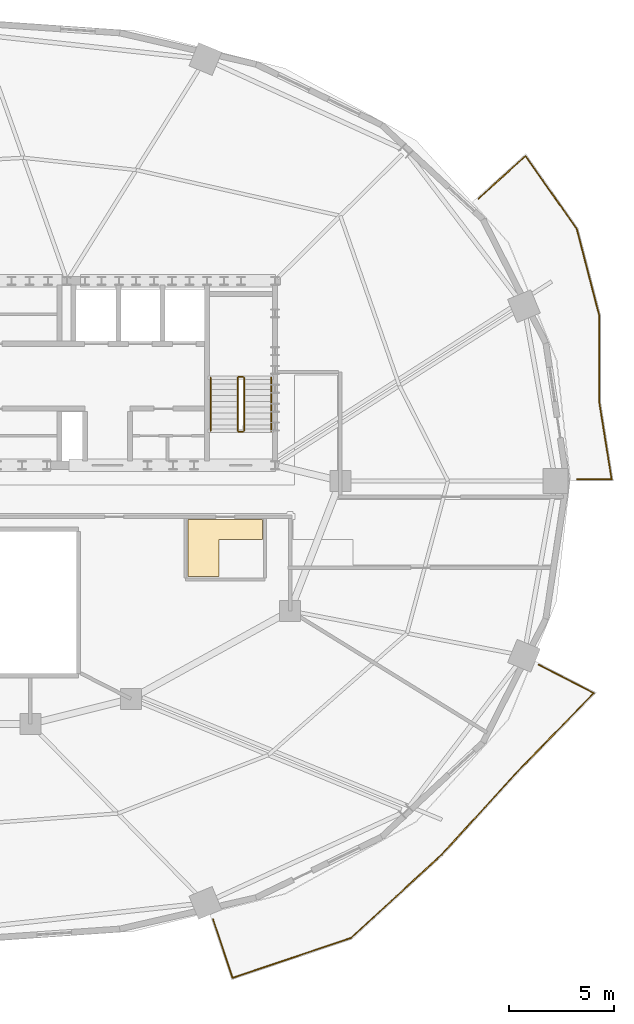
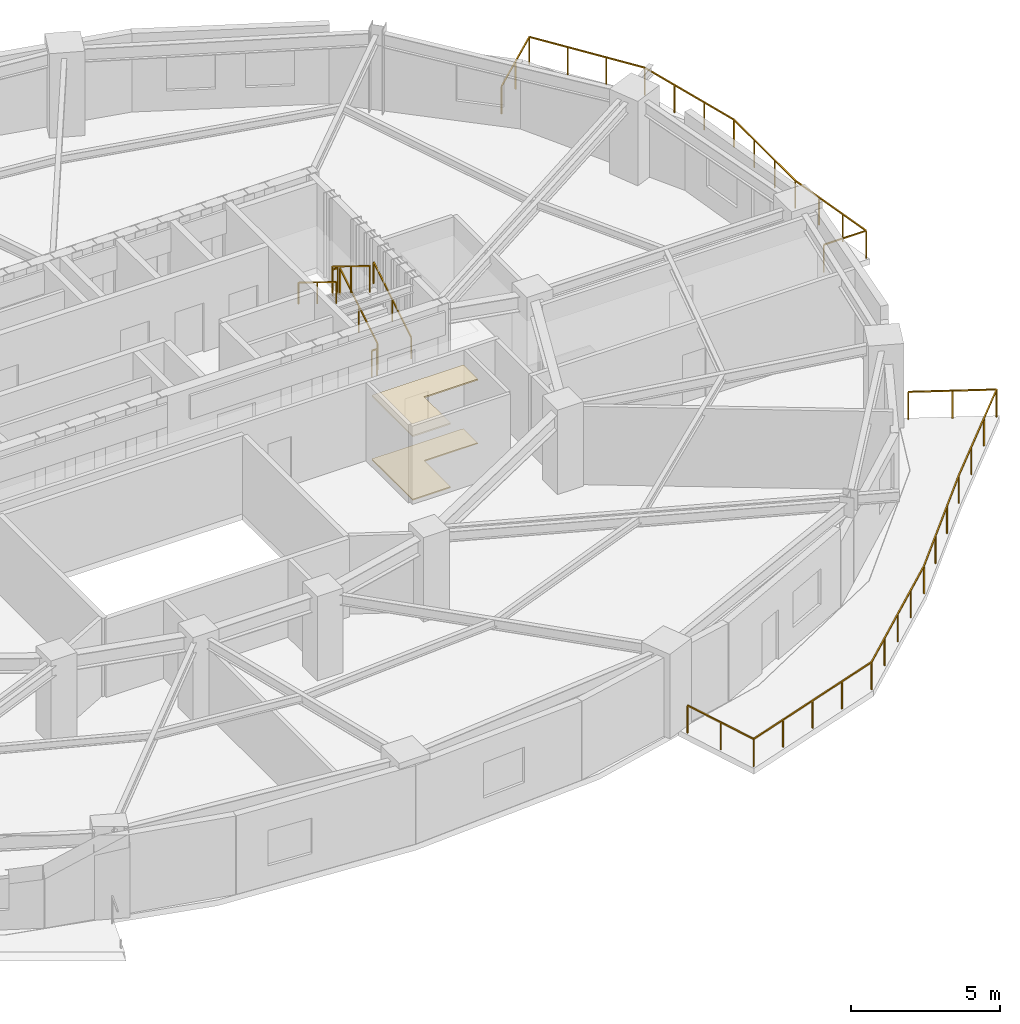
# One storey, part 11 of 11: 8 railings, 2 coverings.
"""IFC4 building model written with IfcOpenShell, lengths in metres."""

from ifc_helpers import new_model, si_unit, direction, frame, origin, origin_2d, place, context, subcontext, project, spatial, polyline, rectangle, outline, extrude, material, layer, layer_set, type_object, element, save


model = new_model("IFC4")

# Units and contexts
model_context = context("Model", 3, precision=1e-05, world=origin(), true_north=direction((0.0, 1.0)))
body_context = subcontext(model_context, "Body", "Model", "MODEL_VIEW")
ifc_project = project(units=[si_unit("LENGTHUNIT", "METRE"), si_unit("AREAUNIT", "SQUARE_METRE"), si_unit("VOLUMEUNIT", "CUBIC_METRE"), si_unit("PLANEANGLEUNIT", "RADIAN"), si_unit("MASSUNIT", "GRAM", prefix="KILO")], contexts=[model_context])

# Site, building, storey
site_placement = place(None, origin())
site = spatial("IfcSite", under=ifc_project, at=site_placement, CompositionType="ELEMENT")
building_placement = place(site_placement, origin())
building = spatial("IfcBuilding", under=site, at=building_placement, Name="Haldorwick Loom Tower", CompositionType="ELEMENT")
storey_placement = place(building_placement, frame((0.0, 0.0, 215.199951171875)))
storey = spatial("IfcBuildingStorey", under=building, at=storey_placement, Name="L58", CompositionType="ELEMENT", Elevation=215.199951171875)

# Coverings
ifc_material_1 = material(Name="Mineral Fibre Acoustic Ceiling Tile")
ifc_layer_1 = layer(ifc_material_1, 0.054931640625, Name="Mineral Fibre Acoustic Ceiling Tile")
ifc_layer_set_1 = layer_set([ifc_layer_1], Name="Mineral Fibre Acoustic Ceiling Tile")
covering_type_1 = type_object("IfcCoveringType", Name="ARC-COV-CEIL2", PredefinedType="CEILING", material=ifc_layer_set_1)
covering_1_placement = place(storey_placement, frame((0.0, 0.0, 2.594970703125)))
element("IfcCovering", 1, at=covering_1_placement, inside=storey, type_object=covering_type_1, Name="L58 Acoustic Suspended Ceiling 2", PredefinedType="CEILING", context=body_context, shape_type="SweptSolid", body=[
    extrude(outline(polyline([(45.929931640625, 24.159912109375), (45.929931640625, 21.429931640625), (47.39990234375, 21.429931640625), (47.39990234375, 23.199951171875), (49.469970703125, 23.199951171875), (49.469970703125, 24.159912109375), (45.929931640625, 24.159912109375)])), origin(), (0.0, 0.0, 1.0), 0.05517578125),
])
ifc_material_2 = material(Name="Polished Aggregate Terrazzo Finish")
ifc_layer_2 = layer(ifc_material_2, 0.044921875, Name="Polished Aggregate Terrazzo Finish")
ifc_layer_set_2 = layer_set([ifc_layer_2], Name="Polished Aggregate Terrazzo Finish")
covering_type_2 = type_object("IfcCoveringType", Name="ARC-COV-FLOOR2", PredefinedType="FLOORING", material=ifc_layer_set_2)
covering_2_placement = place(storey_placement, origin())
element("IfcCovering", 2, at=covering_2_placement, inside=storey, type_object=covering_type_2, Name="L58 Floor Finish 2", PredefinedType="FLOORING", context=body_context, shape_type="SweptSolid", body=[
    extrude(outline(polyline([(45.929931640625, 24.159912109375), (45.929931640625, 21.429931640625), (47.39990234375, 21.429931640625), (47.39990234375, 23.199951171875), (49.469970703125, 23.199951171875), (49.469970703125, 24.159912109375), (45.929931640625, 24.159912109375)])), origin(), (0.0, 0.0, 1.0), 0.045166015625),
])

# Railings
ifc_material_3 = material(Name="Galvanized Steel CSA G40.21 350W", Category="steel")
railing_type_1 = type_object("IfcRailingType", Name="ARC-RLG-BAL115", PredefinedType="BALUSTRADE", material=ifc_material_3)
railing_1_placement = place(storey_placement, frame((62.660400390625, 17.23291015625, 0.0)))
element("IfcRailing", 3, at=railing_1_placement, inside=storey, type_object=railing_type_1, Name="L58 Outdoor Terrace Guardrail SLB-L58-BAL_SE-1", PredefinedType="BALUSTRADE", context=body_context, shape_type="SweptSolid", body=[
    extrude(rectangle(XDim=0.048095703125, YDim=0.048095703125, at=origin_2d()), frame((0.0, 0.0, 1.1259765625), z_axis=(0.888616322057, -0.458651318731, 0.0), x_axis=(0.458651318731, 0.888616322057, 0.0)), (0.0, 0.0, 1.0), 2.961669921875),
    extrude(rectangle(XDim=0.048095703125, YDim=0.048095703125, at=origin_2d()), frame((2.6318359375, -1.3583984375, 1.1259765625), z_axis=(-0.696683349737, -0.717378777355, 0.0), x_axis=(0.717378777355, -0.696683349737, 0.0)), (0.0, 0.0, 1.0), 5.190673828125),
    extrude(rectangle(XDim=0.048095703125, YDim=0.048095703125, at=origin_2d()), frame((-0.984375, -5.08203125, 1.1259765625), z_axis=(-0.707106781187, -0.707106781187, 0.0), x_axis=(0.707106781187, -0.707106781187, 0.0)), (0.0, 0.0, 1.0), 0.001953125),
    extrude(rectangle(XDim=0.048095703125, YDim=0.048095703125, at=origin_2d()), frame((-0.98583984375, -5.08349609375, 1.1259765625), z_axis=(-0.67470023799, -0.738091856652, 0.0), x_axis=(0.738091856652, -0.67470023799, 0.0)), (0.0, 0.0, 1.0), 5.3994140625),
    extrude(rectangle(XDim=0.048095703125, YDim=0.048095703125, at=origin_2d()), frame((-4.62890625, -9.06884765625, 1.1259765625), z_axis=(-0.735961683772, -0.677023190164, 0.0), x_axis=(0.677023190164, -0.735961683772, 0.0)), (0.0, 0.0, 1.0), 5.86962890625),
    extrude(rectangle(XDim=0.048095703125, YDim=0.048095703125, at=origin_2d()), frame((-8.94873046875, -13.042724609375, 1.1259765625), z_axis=(-0.947503426745, -0.319745611865, 0.0), x_axis=(0.319745611865, -0.947503426745, 0.0)), (0.0, 0.0, 1.0), 5.9716796875),
    extrude(rectangle(XDim=0.048095703125, YDim=0.048095703125, at=origin_2d()), frame((-14.60693359375, -14.9521484375, 1.1259765625), z_axis=(-0.316699177821, 0.948526030622, 0.0), x_axis=(-0.948526030622, -0.316699177821, 0.0)), (0.0, 0.0, 1.0), 2.95166015625),
    extrude(rectangle(XDim=0.0419921875, YDim=0.0419921875, at=origin_2d()), origin(), (0.0, 0.0, 1.0), 1.101806640625),
    extrude(rectangle(XDim=0.0419921875, YDim=0.0419921875, at=origin_2d()), frame((1.31591796875, -0.67919921875, 0.0)), (0.0, 0.0, 1.0), 1.101806640625),
    extrude(rectangle(XDim=0.0419921875, YDim=0.0419921875, at=origin_2d()), frame((2.6318359375, -1.3583984375, 0.0)), (0.0, 0.0, 1.0), 1.101806640625),
    extrude(rectangle(XDim=0.0419921875, YDim=0.0419921875, at=origin_2d()), frame((1.426513671875, -2.599609375, 0.0)), (0.0, 0.0, 1.0), 1.101806640625),
    extrude(rectangle(XDim=0.0419921875, YDim=0.0419921875, at=origin_2d()), frame((0.220947265625, -3.8408203125, 0.0)), (0.0, 0.0, 1.0), 1.101806640625),
    extrude(rectangle(XDim=0.0419921875, YDim=0.0419921875, at=origin_2d()), frame((-0.984375, -5.08203125, 0.0)), (0.0, 0.0, 1.0), 1.101806640625),
    extrude(rectangle(XDim=0.0419921875, YDim=0.0419921875, at=origin_2d()), frame((-2.2001953125, -6.411865234375, 0.0)), (0.0, 0.0, 1.0), 1.101806640625),
    extrude(rectangle(XDim=0.0419921875, YDim=0.0419921875, at=origin_2d()), frame((-3.41455078125, -7.740478515625, 0.0)), (0.0, 0.0, 1.0), 1.101806640625),
    extrude(rectangle(XDim=0.0419921875, YDim=0.0419921875, at=origin_2d()), frame((-4.62890625, -9.06884765625, 0.0)), (0.0, 0.0, 1.0), 1.101806640625),
    extrude(rectangle(XDim=0.0419921875, YDim=0.0419921875, at=origin_2d()), frame((-5.708984375, -10.062255859375, 0.0)), (0.0, 0.0, 1.0), 1.101806640625),
    extrude(rectangle(XDim=0.0419921875, YDim=0.0419921875, at=origin_2d()), frame((-6.788818359375, -11.0556640625, 0.0)), (0.0, 0.0, 1.0), 1.101806640625),
    extrude(rectangle(XDim=0.0419921875, YDim=0.0419921875, at=origin_2d()), frame((-7.86865234375, -12.04931640625, 0.0)), (0.0, 0.0, 1.0), 1.101806640625),
    extrude(rectangle(XDim=0.0419921875, YDim=0.0419921875, at=origin_2d()), frame((-8.94873046875, -13.042724609375, 0.0)), (0.0, 0.0, 1.0), 1.101806640625),
    extrude(rectangle(XDim=0.0419921875, YDim=0.0419921875, at=origin_2d()), frame((-10.36328125, -13.52001953125, 0.0)), (0.0, 0.0, 1.0), 1.101806640625),
    extrude(rectangle(XDim=0.0419921875, YDim=0.0419921875, at=origin_2d()), frame((-11.77783203125, -13.99755859375, 0.0)), (0.0, 0.0, 1.0), 1.101806640625),
    extrude(rectangle(XDim=0.0419921875, YDim=0.0419921875, at=origin_2d()), frame((-13.1923828125, -14.474853515625, 0.0)), (0.0, 0.0, 1.0), 1.101806640625),
    extrude(rectangle(XDim=0.0419921875, YDim=0.0419921875, at=origin_2d()), frame((-14.60693359375, -14.9521484375, 0.0)), (0.0, 0.0, 1.0), 1.101806640625),
    extrude(rectangle(XDim=0.0419921875, YDim=0.0419921875, at=origin_2d()), frame((-15.07421875, -13.55224609375, 0.0)), (0.0, 0.0, 1.0), 1.101806640625),
    extrude(rectangle(XDim=0.0419921875, YDim=0.0419921875, at=origin_2d()), frame((-15.541748046875, -12.15234375, 0.0)), (0.0, 0.0, 1.0), 1.101806640625),
])
railing_2_placement = place(storey_placement, frame((59.788818359375, 39.480224609375, 0.0)))
element("IfcRailing", 4, at=railing_2_placement, inside=storey, type_object=railing_type_1, Name="L58 Outdoor Terrace Guardrail SLB-L58-BAL_ENE-1", PredefinedType="BALUSTRADE", context=body_context, shape_type="SweptSolid", body=[
    extrude(rectangle(XDim=0.048095703125, YDim=0.048095703125, at=origin_2d()), frame((0.0, 0.0, 1.1259765625), z_axis=(0.74171714135, 0.670712816507, 0.0), x_axis=(-0.670712816507, 0.74171714135, 0.0)), (0.0, 0.0, 1.0), 3.029296875),
    extrude(rectangle(XDim=0.048095703125, YDim=0.048095703125, at=origin_2d()), frame((2.246826171875, 2.03173828125, 1.1259765625), z_axis=(0.574665537873, -0.818388367208, 0.0), x_axis=(0.818388367208, 0.574665537873, 0.0)), (0.0, 0.0, 1.0), 4.26025390625),
    extrude(rectangle(XDim=0.048095703125, YDim=0.048095703125, at=origin_2d()), frame((4.695068359375, -1.454833984375, 1.1259765625), z_axis=(0.251069654053, -0.967969022652, 0.0), x_axis=(0.967969022652, 0.251069654053, 0.0)), (0.0, 0.0, 1.0), 4.256103515625),
    extrude(rectangle(XDim=0.048095703125, YDim=0.048095703125, at=origin_2d()), frame((5.763671875, -5.57470703125, 1.1259765625), z_axis=(-0.00029735354, -0.99999995579, 0.0), x_axis=(0.99999995579, -0.00029735354, 0.0)), (0.0, 0.0, 1.0), 4.105224609375),
    extrude(rectangle(XDim=0.048095703125, YDim=0.048095703125, at=origin_2d()), frame((5.762451171875, -9.679931640625, 1.1259765625), z_axis=(0.038433122101, -0.999261174631, 0.0), x_axis=(0.999261174631, 0.038433122101, 0.0)), (0.0, 0.0, 1.0), 0.00634765625),
    extrude(rectangle(XDim=0.048095703125, YDim=0.048095703125, at=origin_2d()), frame((5.7626953125, -9.686279296875, 1.1259765625), z_axis=(0.114624107985, -0.993408935871, 0.0), x_axis=(0.993408935871, 0.114624107985, 0.0)), (0.0, 0.0, 1.0), 0.00634765625),
    extrude(rectangle(XDim=0.048095703125, YDim=0.048095703125, at=origin_2d()), frame((5.763427734375, -9.692626953125, 1.1259765625), z_axis=(0.157688694755, -0.987488873632, 0.0), x_axis=(0.987488873632, 0.157688694755, 0.0)), (0.0, 0.0, 1.0), 3.75439453125),
    extrude(rectangle(XDim=0.048095703125, YDim=0.048095703125, at=origin_2d()), frame((6.35546875, -13.400146484375, 1.1259765625), z_axis=(-1.0, 0.0, 0.0), x_axis=(0.0, -1.0, 0.0)), (0.0, 0.0, 1.0), 1.634765625),
    extrude(rectangle(XDim=0.0419921875, YDim=0.0419921875, at=origin_2d()), origin(), (0.0, 0.0, 1.0), 1.101806640625),
    extrude(rectangle(XDim=0.0419921875, YDim=0.0419921875, at=origin_2d()), frame((1.12353515625, 1.015869140625, 0.0)), (0.0, 0.0, 1.0), 1.101806640625),
    extrude(rectangle(XDim=0.0419921875, YDim=0.0419921875, at=origin_2d()), frame((2.246826171875, 2.03173828125, 0.0)), (0.0, 0.0, 1.0), 1.101806640625),
    extrude(rectangle(XDim=0.0419921875, YDim=0.0419921875, at=origin_2d()), frame((3.06298828125, 0.86962890625, 0.0)), (0.0, 0.0, 1.0), 1.101806640625),
    extrude(rectangle(XDim=0.0419921875, YDim=0.0419921875, at=origin_2d()), frame((3.87890625, -0.292724609375, 0.0)), (0.0, 0.0, 1.0), 1.101806640625),
    extrude(rectangle(XDim=0.0419921875, YDim=0.0419921875, at=origin_2d()), frame((4.695068359375, -1.454833984375, 0.0)), (0.0, 0.0, 1.0), 1.101806640625),
    extrude(rectangle(XDim=0.0419921875, YDim=0.0419921875, at=origin_2d()), frame((5.05126953125, -2.828125, 0.0)), (0.0, 0.0, 1.0), 1.101806640625),
    extrude(rectangle(XDim=0.0419921875, YDim=0.0419921875, at=origin_2d()), frame((5.407470703125, -4.201416015625, 0.0)), (0.0, 0.0, 1.0), 1.101806640625),
    extrude(rectangle(XDim=0.0419921875, YDim=0.0419921875, at=origin_2d()), frame((5.763671875, -5.57470703125, 0.0)), (0.0, 0.0, 1.0), 1.101806640625),
    extrude(rectangle(XDim=0.0419921875, YDim=0.0419921875, at=origin_2d()), frame((5.76318359375, -6.943115234375, 0.0)), (0.0, 0.0, 1.0), 1.101806640625),
    extrude(rectangle(XDim=0.0419921875, YDim=0.0419921875, at=origin_2d()), frame((5.762939453125, -8.3115234375, 0.0)), (0.0, 0.0, 1.0), 1.101806640625),
    extrude(rectangle(XDim=0.0419921875, YDim=0.0419921875, at=origin_2d()), frame((5.762451171875, -9.679931640625, 0.0)), (0.0, 0.0, 1.0), 1.101806640625),
    extrude(rectangle(XDim=0.0419921875, YDim=0.0419921875, at=origin_2d()), frame((5.960693359375, -10.928466796875, 0.0)), (0.0, 0.0, 1.0), 1.101806640625),
    extrude(rectangle(XDim=0.0419921875, YDim=0.0419921875, at=origin_2d()), frame((6.158203125, -12.164306640625, 0.0)), (0.0, 0.0, 1.0), 1.101806640625),
    extrude(rectangle(XDim=0.0419921875, YDim=0.0419921875, at=origin_2d()), frame((6.35546875, -13.400146484375, 0.0)), (0.0, 0.0, 1.0), 1.101806640625),
    extrude(rectangle(XDim=0.0419921875, YDim=0.0419921875, at=origin_2d()), frame((4.720703125, -13.400146484375, 0.0)), (0.0, 0.0, 1.0), 1.101806640625),
])
ifc_material_4 = material(Name="Steel CSA G40.21 350W", Category="steel")
railing_type_2 = type_object("IfcRailingType", Name="ARC-RLG-GUARD112", PredefinedType="GUARDRAIL", material=ifc_material_4)
railing_3_placement = place(storey_placement, frame((48.60009765625, 28.39990234375, 0.172607421875)))
element("IfcRailing", 5, at=railing_3_placement, inside=storey, type_object=railing_type_2, Name="L58 ST-02 stair guard 1", PredefinedType="GUARDRAIL", context=body_context, shape_type="SweptSolid", body=[
    extrude(rectangle(XDim=0.048095703125, YDim=0.048095703125, at=origin_2d()), frame((0.0, 0.0, 1.076171875), z_axis=(0.0, 0.851400495292, 0.524516154772), x_axis=(-1.0, 0.0, 0.0)), (0.0, 0.0, 1.0), 2.9599609375),
    extrude(rectangle(XDim=0.0419921875, YDim=0.0419921875, at=origin_2d()), origin(), (0.0, 0.0, 1.0), 1.052001953125),
    extrude(rectangle(XDim=0.0419921875, YDim=0.0419921875, at=origin_2d()), frame((0.0, 1.260009765625, 0.7763671875)), (0.0, 0.0, 1.0), 1.052001953125),
    extrude(rectangle(XDim=0.0419921875, YDim=0.0419921875, at=origin_2d()), frame((0.0, 2.52001953125, 1.552490234375)), (0.0, 0.0, 1.0), 1.052001953125),
])
railing_4_placement = place(storey_placement, frame((48.550048828125, 30.969970703125, 1.72509765625)))
element("IfcRailing", 6, at=railing_4_placement, inside=storey, type_object=railing_type_2, Name="L58 ST-02 stair guard 2", PredefinedType="GUARDRAIL", context=body_context, shape_type="SweptSolid", body=[
    extrude(rectangle(XDim=0.048095703125, YDim=0.048095703125, at=origin_2d()), frame((0.0, 0.0, 1.076171875), z_axis=(-1.0, 0.0, 0.0), x_axis=(0.0, -1.0, 0.0)), (0.0, 0.0, 1.0), 0.199951171875),
    extrude(rectangle(XDim=0.0419921875, YDim=0.0419921875, at=origin_2d()), origin(), (0.0, 0.0, 1.0), 1.052001953125),
    extrude(rectangle(XDim=0.0419921875, YDim=0.0419921875, at=origin_2d()), frame((-0.199951171875, 0.0, 0.0)), (0.0, 0.0, 1.0), 1.052001953125),
])
railing_5_placement = place(storey_placement, frame((48.300048828125, 30.919921875, 1.8974609375)))
element("IfcRailing", 7, at=railing_5_placement, inside=storey, type_object=railing_type_2, Name="L58 ST-02 stair guard 3", PredefinedType="GUARDRAIL", context=body_context, shape_type="SweptSolid", body=[
    extrude(rectangle(XDim=0.048095703125, YDim=0.048095703125, at=origin_2d()), frame((0.0, 0.0, 1.076171875), z_axis=(0.0, -0.851400495292, 0.524516154772), x_axis=(1.0, 0.0, 0.0)), (0.0, 0.0, 1.0), 2.9599609375),
    extrude(rectangle(XDim=0.0419921875, YDim=0.0419921875, at=origin_2d()), origin(), (0.0, 0.0, 1.0), 1.052001953125),
    extrude(rectangle(XDim=0.0419921875, YDim=0.0419921875, at=origin_2d()), frame((0.0, -1.260009765625, 0.7763671875)), (0.0, 0.0, 1.0), 1.052001953125),
    extrude(rectangle(XDim=0.0419921875, YDim=0.0419921875, at=origin_2d()), frame((0.0, -2.52001953125, 1.552490234375)), (0.0, 0.0, 1.0), 1.052001953125),
])
railing_6_placement = place(storey_placement, frame((48.550048828125, 28.35009765625, 0.0)))
element("IfcRailing", 8, at=railing_6_placement, inside=storey, type_object=railing_type_2, Name="L58 ST-02 stair guard 4", PredefinedType="GUARDRAIL", context=body_context, shape_type="SweptSolid", body=[
    extrude(rectangle(XDim=0.048095703125, YDim=0.048095703125, at=origin_2d()), frame((0.0, 0.0, 1.076171875), z_axis=(-1.0, 0.0, 0.0), x_axis=(0.0, -1.0, 0.0)), (0.0, 0.0, 1.0), 0.199951171875),
    extrude(rectangle(XDim=0.0419921875, YDim=0.0419921875, at=origin_2d()), origin(), (0.0, 0.0, 1.0), 1.052001953125),
    extrude(rectangle(XDim=0.0419921875, YDim=0.0419921875, at=origin_2d()), frame((-0.199951171875, 0.0, 0.0)), (0.0, 0.0, 1.0), 1.052001953125),
])
railing_type_3 = type_object("IfcRailingType", Name="ARC-RLG-HAND092", PredefinedType="HANDRAIL", material=ifc_material_4)
railing_7_placement = place(storey_placement, frame((49.89990234375, 28.39990234375, 0.172607421875)))
element("IfcRailing", 9, at=railing_7_placement, inside=storey, type_object=railing_type_3, Name="L58 ST-02 stair handrail 1", PredefinedType="HANDRAIL", context=body_context, shape_type="SweptSolid", body=[
    extrude(rectangle(XDim=0.048095703125, YDim=0.048095703125, at=origin_2d()), frame((0.0, 0.0, 0.8759765625), z_axis=(0.0, 0.851400495292, 0.524516154772), x_axis=(-1.0, 0.0, 0.0)), (0.0, 0.0, 1.0), 2.9599609375),
    extrude(rectangle(XDim=0.0419921875, YDim=0.0419921875, at=origin_2d()), origin(), (0.0, 0.0, 1.0), 0.851806640625),
    extrude(rectangle(XDim=0.0419921875, YDim=0.0419921875, at=origin_2d()), frame((0.0, 1.260009765625, 0.7763671875)), (0.0, 0.0, 1.0), 0.851806640625),
    extrude(rectangle(XDim=0.0419921875, YDim=0.0419921875, at=origin_2d()), frame((0.0, 2.52001953125, 1.552490234375)), (0.0, 0.0, 1.0), 0.851806640625),
])
railing_8_placement = place(storey_placement, frame((47.0, 30.919921875, 1.8974609375)))
element("IfcRailing", 10, at=railing_8_placement, inside=storey, type_object=railing_type_3, Name="L58 ST-02 stair handrail 2", PredefinedType="HANDRAIL", context=body_context, shape_type="SweptSolid", body=[
    extrude(rectangle(XDim=0.048095703125, YDim=0.048095703125, at=origin_2d()), frame((0.0, 0.0, 0.8759765625), z_axis=(0.0, -0.851400495292, 0.524516154772), x_axis=(1.0, 0.0, 0.0)), (0.0, 0.0, 1.0), 2.9599609375),
    extrude(rectangle(XDim=0.0419921875, YDim=0.0419921875, at=origin_2d()), origin(), (0.0, 0.0, 1.0), 0.851806640625),
    extrude(rectangle(XDim=0.0419921875, YDim=0.0419921875, at=origin_2d()), frame((0.0, -1.260009765625, 0.7763671875)), (0.0, 0.0, 1.0), 0.851806640625),
    extrude(rectangle(XDim=0.0419921875, YDim=0.0419921875, at=origin_2d()), frame((0.0, -2.52001953125, 1.552490234375)), (0.0, 0.0, 1.0), 0.851806640625),
])

save(model, "model.ifc")
